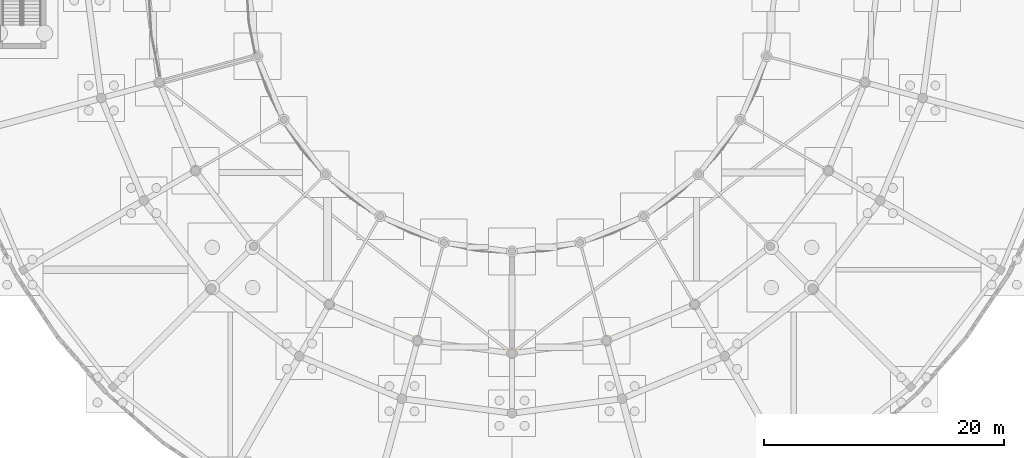
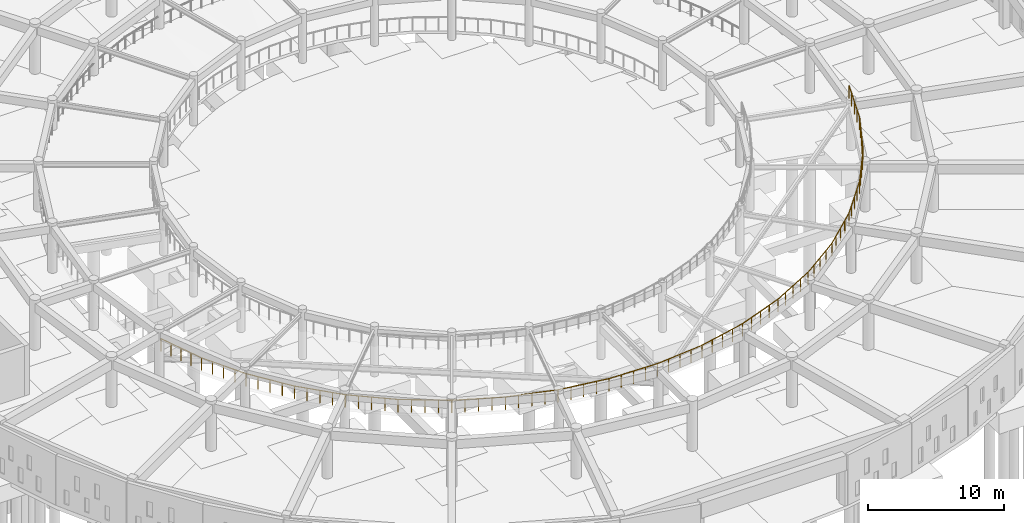
# One storey, part 67 of 84: 1 railing.
"""IFC4 building model written with IfcOpenShell, lengths in metres."""

from ifc_helpers import new_model, si_unit, direction, frame, origin, origin_2d, place, context, subcontext, project, spatial, circle, extrude, material, type_object, element, save


model = new_model("IFC4")

# Units and contexts
model_context = context("Model", 3, precision=1e-05, world=origin(), true_north=direction((0.0, 1.0)))
body_context = subcontext(model_context, "Body", "Model", "MODEL_VIEW")
ifc_project = project(units=[si_unit("LENGTHUNIT", "METRE"), si_unit("AREAUNIT", "SQUARE_METRE"), si_unit("VOLUMEUNIT", "CUBIC_METRE"), si_unit("PLANEANGLEUNIT", "RADIAN"), si_unit("MASSUNIT", "GRAM", prefix="KILO")], contexts=[model_context])

# Site, building, storey
site_placement = place(None, origin())
site = spatial("IfcSite", under=ifc_project, at=site_placement, CompositionType="ELEMENT")
building_placement = place(site_placement, origin())
building = spatial("IfcBuilding", under=site, at=building_placement, Name="Larkveld Mobility Hub", CompositionType="ELEMENT")
storey_placement = place(building_placement, origin())
storey = spatial("IfcBuildingStorey", under=building, at=storey_placement, Name="L00", CompositionType="ELEMENT", Elevation=0.0)

# Railing
ifc_material = material(Name="Galvanized Steel S355JR vehicle-deck guard", Category="steel")
railing_type = type_object("IfcRailingType", Name="RL-GRD-RMP", PredefinedType="GUARDRAIL", material=ifc_material)
railing_placement = place(storey_placement, frame((18.68408203125, 40.14501953125, 2.25)))
element("IfcRailing", 1, at=railing_placement, inside=storey, type_object=railing_type, Name="Helical Ramp Outer Sloped Guard T2 L00-006", PredefinedType="GUARDRAIL", context=body_context, shape_type="SweptSolid", body=[
    extrude(circle(Radius=0.02392578125, at=origin_2d()), frame((0.0, 0.0, 1.1259765625), z_axis=(0.32127964597, -0.94656385553, 0.028218017126), x_axis=(0.94694093454, 0.321407632909, 0.0)), (0.0, 0.0, 1.0), 3.97119140625),
    extrude(circle(Radius=0.02392578125, at=origin_2d()), frame((1.27587890625, -3.759033203125, 1.23779296875), z_axis=(0.442108613699, -0.896509973504, 0.028457707235), x_axis=(0.896873209453, 0.442287741368, 0.0)), (0.0, 0.0, 1.0), 3.97216796875),
    extrude(circle(Radius=0.02392578125, at=origin_2d()), frame((3.031982421875, -7.320068359375, 1.35107421875), z_axis=(0.555416183512, -0.831095862911, 0.028151904831), x_axis=(0.831425392892, 0.555636406344, 0.0)), (0.0, 0.0, 1.0), 3.971923828125),
    extrude(circle(Radius=0.02392578125, at=origin_2d()), frame((5.238037109375, -10.62109375, 1.462890625), z_axis=(0.658977380107, -0.751623980706, 0.028464084988), x_axis=(0.75192865028, 0.659244495531, 0.0)), (0.0, 0.0, 1.0), 3.97119140625),
    extrude(circle(Radius=0.02392578125, at=origin_2d()), frame((7.85498046875, -13.60595703125, 1.57568359375), z_axis=(0.751629219105, -0.658981972811, 0.028218371632), x_axis=(0.659244495531, 0.75192865028, 0.0)), (0.0, 0.0, 1.0), 3.97119140625),
    extrude(circle(Radius=0.02392578125, at=origin_2d()), frame((10.83984375, -16.222900390625, 1.68798828125), z_axis=(0.831088633054, -0.555411351843, 0.028458992464), x_axis=(0.555636406344, 0.831425392892, 0.0)), (0.0, 0.0, 1.0), 3.971923828125),
    extrude(circle(Radius=0.02392578125, at=origin_2d()), frame((14.140869140625, -18.428955078125, 1.80078125), z_axis=(0.896509973504, -0.442108613699, 0.028457707235), x_axis=(0.442287741368, 0.896873209453, 0.0)), (0.0, 0.0, 1.0), 3.97216796875),
    extrude(circle(Radius=0.02392578125, at=origin_2d()), frame((17.701904296875, -20.18505859375, 1.9140625), z_axis=(0.94656549581, -0.321280202708, 0.028156588756), x_axis=(0.321407632909, 0.94694093454, 0.0)), (0.0, 0.0, 1.0), 3.97119140625),
    extrude(circle(Radius=0.02392578125, at=origin_2d()), frame((21.4609375, -21.4609375, 2.02587890625), z_axis=(0.980407438323, -0.194913604196, 0.028459476109), x_axis=(0.194992586513, 0.980804716141, 0.0)), (0.0, 0.0, 1.0), 3.971923828125),
    extrude(circle(Radius=0.02392578125, at=origin_2d()), frame((25.35498046875, -22.235107421875, 2.138671875), z_axis=(0.997455012327, -0.065476429249, 0.028219418803), x_axis=(0.065502515435, 0.997852404152, 0.0)), (0.0, 0.0, 1.0), 3.970947265625),
    extrude(circle(Radius=0.02392578125, at=origin_2d()), frame((29.31591796875, -22.4951171875, 2.2509765625), z_axis=(0.997455012327, 0.065476429249, 0.028219418803), x_axis=(-0.065502515435, 0.997852404152, 0.0)), (0.0, 0.0, 1.0), 3.970947265625),
    extrude(circle(Radius=0.02392578125, at=origin_2d()), frame((33.27685546875, -22.235107421875, 2.36279296875), z_axis=(0.980407438323, 0.194913604196, 0.028459476109), x_axis=(-0.194992586513, 0.980804716141, 0.0)), (0.0, 0.0, 1.0), 3.971923828125),
    extrude(circle(Radius=0.02392578125, at=origin_2d()), frame((37.1708984375, -21.4609375, 2.47607421875), z_axis=(0.946558913276, 0.321277968486, 0.028402300314), x_axis=(-0.321407632909, 0.94694093454, 0.0)), (0.0, 0.0, 1.0), 3.97119140625),
    extrude(circle(Radius=0.02392578125, at=origin_2d()), frame((40.929931640625, -20.18505859375, 2.5888671875), z_axis=(0.896516218877, 0.442111693568, 0.028212048846), x_axis=(-0.442287741368, 0.896873209453, 0.0)), (0.0, 0.0, 1.0), 3.97216796875),
    extrude(circle(Radius=0.02392578125, at=origin_2d()), frame((44.490966796875, -18.428955078125, 2.70068359375), z_axis=(0.831088633054, 0.555411351843, 0.028458992464), x_axis=(-0.555636406344, 0.831425392892, 0.0)), (0.0, 0.0, 1.0), 3.971923828125),
    extrude(circle(Radius=0.02392578125, at=origin_2d()), frame((47.7919921875, -16.222900390625, 2.81396484375), z_axis=(0.751629219105, 0.658981972811, 0.028218371632), x_axis=(-0.659244495531, 0.75192865028, 0.0)), (0.0, 0.0, 1.0), 3.97119140625),
    extrude(circle(Radius=0.02392578125, at=origin_2d()), frame((50.77685546875, -13.60595703125, 2.92578125), z_axis=(0.658981972811, 0.751629219105, 0.028218371632), x_axis=(-0.75192865028, 0.659244495531, 0.0)), (0.0, 0.0, 1.0), 3.97119140625),
    extrude(circle(Radius=0.02392578125, at=origin_2d()), frame((53.393798828125, -10.62109375, 3.0380859375), z_axis=(0.555412322364, 0.83109008529, 0.028397575579), x_axis=(-0.831425392892, 0.555636406344, 0.0)), (0.0, 0.0, 1.0), 3.971923828125),
    extrude(circle(Radius=0.02392578125, at=origin_2d()), frame((55.599853515625, -7.320068359375, 3.15087890625), z_axis=(0.442111693568, 0.896516218877, 0.028212048846), x_axis=(-0.896873209453, 0.442287741368, 0.0)), (0.0, 0.0, 1.0), 3.97216796875),
    extrude(circle(Radius=0.02392578125, at=origin_2d()), frame((57.35595703125, -3.759033203125, 3.2626953125), z_axis=(0.321277406902, 0.946557258721, 0.028463727401), x_axis=(-0.94694093454, 0.321407632909, 0.0)), (0.0, 0.0, 1.0), 3.97119140625),
    extrude(circle(Radius=0.02099609375, at=origin_2d()), origin(), (0.0, 0.0, 1.0), 1.101806640625),
    extrude(circle(Radius=0.02099609375, at=origin_2d()), frame((0.31884765625, -0.939697265625, 0.028076171875)), (0.0, 0.0, 1.0), 1.101806640625),
    extrude(circle(Radius=0.02099609375, at=origin_2d()), frame((0.637939453125, -1.87939453125, 0.05615234375)), (0.0, 0.0, 1.0), 1.101806640625),
    extrude(circle(Radius=0.02099609375, at=origin_2d()), frame((0.95703125, -2.8193359375, 0.083984375)), (0.0, 0.0, 1.0), 1.101806640625),
    extrude(circle(Radius=0.02099609375, at=origin_2d()), frame((1.27587890625, -3.759033203125, 0.112060546875)), (0.0, 0.0, 1.0), 1.101806640625),
    extrude(circle(Radius=0.02099609375, at=origin_2d()), frame((1.71484375, -4.6494140625, 0.140380859375)), (0.0, 0.0, 1.0), 1.101806640625),
    extrude(circle(Radius=0.02099609375, at=origin_2d()), frame((2.15380859375, -5.53955078125, 0.16845703125)), (0.0, 0.0, 1.0), 1.101806640625),
    extrude(circle(Radius=0.02099609375, at=origin_2d()), frame((2.593017578125, -6.4296875, 0.19677734375)), (0.0, 0.0, 1.0), 1.101806640625),
    extrude(circle(Radius=0.02099609375, at=origin_2d()), frame((3.031982421875, -7.320068359375, 0.22509765625)), (0.0, 0.0, 1.0), 1.101806640625),
    extrude(circle(Radius=0.02099609375, at=origin_2d()), frame((3.58349609375, -8.145263671875, 0.2529296875)), (0.0, 0.0, 1.0), 1.101806640625),
    extrude(circle(Radius=0.02099609375, at=origin_2d()), frame((4.135009765625, -8.970703125, 0.281005859375)), (0.0, 0.0, 1.0), 1.101806640625),
    extrude(circle(Radius=0.02099609375, at=origin_2d()), frame((4.6865234375, -9.7958984375, 0.30908203125)), (0.0, 0.0, 1.0), 1.101806640625),
    extrude(circle(Radius=0.02099609375, at=origin_2d()), frame((5.238037109375, -10.62109375, 0.3369140625)), (0.0, 0.0, 1.0), 1.101806640625),
    extrude(circle(Radius=0.02099609375, at=origin_2d()), frame((5.892333984375, -11.3671875, 0.365234375)), (0.0, 0.0, 1.0), 1.101806640625),
    extrude(circle(Radius=0.02099609375, at=origin_2d()), frame((6.54638671875, -12.113525390625, 0.3935546875)), (0.0, 0.0, 1.0), 1.101806640625),
    extrude(circle(Radius=0.02099609375, at=origin_2d()), frame((7.20068359375, -12.85986328125, 0.421630859375)), (0.0, 0.0, 1.0), 1.101806640625),
    extrude(circle(Radius=0.02099609375, at=origin_2d()), frame((7.85498046875, -13.60595703125, 0.449951171875)), (0.0, 0.0, 1.0), 1.101806640625),
    extrude(circle(Radius=0.02099609375, at=origin_2d()), frame((8.60107421875, -14.26025390625, 0.47802734375)), (0.0, 0.0, 1.0), 1.101806640625),
    extrude(circle(Radius=0.02099609375, at=origin_2d()), frame((9.347412109375, -14.91455078125, 0.505859375)), (0.0, 0.0, 1.0), 1.101806640625),
    extrude(circle(Radius=0.02099609375, at=origin_2d()), frame((10.09375, -15.568603515625, 0.533935546875)), (0.0, 0.0, 1.0), 1.101806640625),
    extrude(circle(Radius=0.02099609375, at=origin_2d()), frame((10.83984375, -16.222900390625, 0.56201171875)), (0.0, 0.0, 1.0), 1.101806640625),
    extrude(circle(Radius=0.02099609375, at=origin_2d()), frame((11.6650390625, -16.7744140625, 0.59033203125)), (0.0, 0.0, 1.0), 1.101806640625),
    extrude(circle(Radius=0.02099609375, at=origin_2d()), frame((12.490234375, -17.325927734375, 0.61865234375)), (0.0, 0.0, 1.0), 1.101806640625),
    extrude(circle(Radius=0.02099609375, at=origin_2d()), frame((13.315673828125, -17.87744140625, 0.646728515625)), (0.0, 0.0, 1.0), 1.101806640625),
    extrude(circle(Radius=0.02099609375, at=origin_2d()), frame((14.140869140625, -18.428955078125, 0.675048828125)), (0.0, 0.0, 1.0), 1.101806640625),
    extrude(circle(Radius=0.02099609375, at=origin_2d()), frame((15.03125, -18.867919921875, 0.703369140625)), (0.0, 0.0, 1.0), 1.101806640625),
    extrude(circle(Radius=0.02099609375, at=origin_2d()), frame((15.92138671875, -19.30712890625, 0.7314453125)), (0.0, 0.0, 1.0), 1.101806640625),
    extrude(circle(Radius=0.02099609375, at=origin_2d()), frame((16.8115234375, -19.74609375, 0.759765625)), (0.0, 0.0, 1.0), 1.101806640625),
    extrude(circle(Radius=0.02099609375, at=origin_2d()), frame((17.701904296875, -20.18505859375, 0.7880859375)), (0.0, 0.0, 1.0), 1.101806640625),
    extrude(circle(Radius=0.02099609375, at=origin_2d()), frame((18.6416015625, -20.50390625, 0.81591796875)), (0.0, 0.0, 1.0), 1.101806640625),
    extrude(circle(Radius=0.02099609375, at=origin_2d()), frame((19.58154296875, -20.822998046875, 0.843994140625)), (0.0, 0.0, 1.0), 1.101806640625),
    extrude(circle(Radius=0.02099609375, at=origin_2d()), frame((20.521240234375, -21.14208984375, 0.8720703125)), (0.0, 0.0, 1.0), 1.101806640625),
    extrude(circle(Radius=0.02099609375, at=origin_2d()), frame((21.4609375, -21.4609375, 0.89990234375)), (0.0, 0.0, 1.0), 1.101806640625),
    extrude(circle(Radius=0.02099609375, at=origin_2d()), frame((22.4345703125, -21.654541015625, 0.92822265625)), (0.0, 0.0, 1.0), 1.101806640625),
    extrude(circle(Radius=0.02099609375, at=origin_2d()), frame((23.407958984375, -21.84814453125, 0.95654296875)), (0.0, 0.0, 1.0), 1.101806640625),
    extrude(circle(Radius=0.02099609375, at=origin_2d()), frame((24.38134765625, -22.04150390625, 0.984619140625)), (0.0, 0.0, 1.0), 1.101806640625),
    extrude(circle(Radius=0.02099609375, at=origin_2d()), frame((25.35498046875, -22.235107421875, 1.012939453125)), (0.0, 0.0, 1.0), 1.101806640625),
    extrude(circle(Radius=0.02099609375, at=origin_2d()), frame((26.34521484375, -22.300048828125, 1.041015625)), (0.0, 0.0, 1.0), 1.101806640625),
    extrude(circle(Radius=0.02099609375, at=origin_2d()), frame((27.33544921875, -22.365234375, 1.06884765625)), (0.0, 0.0, 1.0), 1.101806640625),
    extrude(circle(Radius=0.02099609375, at=origin_2d()), frame((28.32568359375, -22.43017578125, 1.096923828125)), (0.0, 0.0, 1.0), 1.101806640625),
    extrude(circle(Radius=0.02099609375, at=origin_2d()), frame((29.31591796875, -22.4951171875, 1.125)), (0.0, 0.0, 1.0), 1.101806640625),
    extrude(circle(Radius=0.02099609375, at=origin_2d()), frame((30.30615234375, -22.43017578125, 1.153076171875)), (0.0, 0.0, 1.0), 1.101806640625),
    extrude(circle(Radius=0.02099609375, at=origin_2d()), frame((31.29638671875, -22.365234375, 1.18115234375)), (0.0, 0.0, 1.0), 1.101806640625),
    extrude(circle(Radius=0.02099609375, at=origin_2d()), frame((32.28662109375, -22.300048828125, 1.208984375)), (0.0, 0.0, 1.0), 1.101806640625),
    extrude(circle(Radius=0.02099609375, at=origin_2d()), frame((33.27685546875, -22.235107421875, 1.237060546875)), (0.0, 0.0, 1.0), 1.101806640625),
    extrude(circle(Radius=0.02099609375, at=origin_2d()), frame((34.25048828125, -22.04150390625, 1.265380859375)), (0.0, 0.0, 1.0), 1.101806640625),
    extrude(circle(Radius=0.02099609375, at=origin_2d()), frame((35.223876953125, -21.84814453125, 1.29345703125)), (0.0, 0.0, 1.0), 1.101806640625),
    extrude(circle(Radius=0.02099609375, at=origin_2d()), frame((36.197265625, -21.654541015625, 1.32177734375)), (0.0, 0.0, 1.0), 1.101806640625),
    extrude(circle(Radius=0.02099609375, at=origin_2d()), frame((37.1708984375, -21.4609375, 1.35009765625)), (0.0, 0.0, 1.0), 1.101806640625),
    extrude(circle(Radius=0.02099609375, at=origin_2d()), frame((38.110595703125, -21.14208984375, 1.37841796875)), (0.0, 0.0, 1.0), 1.101806640625),
    extrude(circle(Radius=0.02099609375, at=origin_2d()), frame((39.05029296875, -20.822998046875, 1.406494140625)), (0.0, 0.0, 1.0), 1.101806640625),
    extrude(circle(Radius=0.02099609375, at=origin_2d()), frame((39.990234375, -20.50390625, 1.4345703125)), (0.0, 0.0, 1.0), 1.101806640625),
    extrude(circle(Radius=0.02099609375, at=origin_2d()), frame((40.929931640625, -20.18505859375, 1.462890625)), (0.0, 0.0, 1.0), 1.101806640625),
    extrude(circle(Radius=0.02099609375, at=origin_2d()), frame((41.8203125, -19.74609375, 1.490966796875)), (0.0, 0.0, 1.0), 1.101806640625),
    extrude(circle(Radius=0.02099609375, at=origin_2d()), frame((42.71044921875, -19.30712890625, 1.51904296875)), (0.0, 0.0, 1.0), 1.101806640625),
    extrude(circle(Radius=0.02099609375, at=origin_2d()), frame((43.6005859375, -18.867919921875, 1.546875)), (0.0, 0.0, 1.0), 1.101806640625),
    extrude(circle(Radius=0.02099609375, at=origin_2d()), frame((44.490966796875, -18.428955078125, 1.574951171875)), (0.0, 0.0, 1.0), 1.101806640625),
    extrude(circle(Radius=0.02099609375, at=origin_2d()), frame((45.316162109375, -17.87744140625, 1.603271484375)), (0.0, 0.0, 1.0), 1.101806640625),
    extrude(circle(Radius=0.02099609375, at=origin_2d()), frame((46.1416015625, -17.325927734375, 1.63134765625)), (0.0, 0.0, 1.0), 1.101806640625),
    extrude(circle(Radius=0.02099609375, at=origin_2d()), frame((46.966796875, -16.7744140625, 1.65966796875)), (0.0, 0.0, 1.0), 1.101806640625),
    extrude(circle(Radius=0.02099609375, at=origin_2d()), frame((47.7919921875, -16.222900390625, 1.68798828125)), (0.0, 0.0, 1.0), 1.101806640625),
    extrude(circle(Radius=0.02099609375, at=origin_2d()), frame((48.5380859375, -15.568603515625, 1.716064453125)), (0.0, 0.0, 1.0), 1.101806640625),
    extrude(circle(Radius=0.02099609375, at=origin_2d()), frame((49.284423828125, -14.91455078125, 1.744140625)), (0.0, 0.0, 1.0), 1.101806640625),
    extrude(circle(Radius=0.02099609375, at=origin_2d()), frame((50.03076171875, -14.26025390625, 1.77197265625)), (0.0, 0.0, 1.0), 1.101806640625),
    extrude(circle(Radius=0.02099609375, at=origin_2d()), frame((50.77685546875, -13.60595703125, 1.800048828125)), (0.0, 0.0, 1.0), 1.101806640625),
    extrude(circle(Radius=0.02099609375, at=origin_2d()), frame((51.43115234375, -12.85986328125, 1.828125)), (0.0, 0.0, 1.0), 1.101806640625),
    extrude(circle(Radius=0.02099609375, at=origin_2d()), frame((52.08544921875, -12.113525390625, 1.85595703125)), (0.0, 0.0, 1.0), 1.101806640625),
    extrude(circle(Radius=0.02099609375, at=origin_2d()), frame((52.739501953125, -11.3671875, 1.884033203125)), (0.0, 0.0, 1.0), 1.101806640625),
    extrude(circle(Radius=0.02099609375, at=origin_2d()), frame((53.393798828125, -10.62109375, 1.912109375)), (0.0, 0.0, 1.0), 1.101806640625),
    extrude(circle(Radius=0.02099609375, at=origin_2d()), frame((53.9453125, -9.7958984375, 1.9404296875)), (0.0, 0.0, 1.0), 1.101806640625),
    extrude(circle(Radius=0.02099609375, at=origin_2d()), frame((54.496826171875, -8.970703125, 1.968505859375)), (0.0, 0.0, 1.0), 1.101806640625),
    extrude(circle(Radius=0.02099609375, at=origin_2d()), frame((55.04833984375, -8.145263671875, 1.99658203125)), (0.0, 0.0, 1.0), 1.101806640625),
    extrude(circle(Radius=0.02099609375, at=origin_2d()), frame((55.599853515625, -7.320068359375, 2.02490234375)), (0.0, 0.0, 1.0), 1.101806640625),
    extrude(circle(Radius=0.02099609375, at=origin_2d()), frame((56.038818359375, -6.4296875, 2.052978515625)), (0.0, 0.0, 1.0), 1.101806640625),
    extrude(circle(Radius=0.02099609375, at=origin_2d()), frame((56.47802734375, -5.53955078125, 2.0810546875)), (0.0, 0.0, 1.0), 1.101806640625),
    extrude(circle(Radius=0.02099609375, at=origin_2d()), frame((56.9169921875, -4.6494140625, 2.10888671875)), (0.0, 0.0, 1.0), 1.101806640625),
    extrude(circle(Radius=0.02099609375, at=origin_2d()), frame((57.35595703125, -3.759033203125, 2.136962890625)), (0.0, 0.0, 1.0), 1.101806640625),
    extrude(circle(Radius=0.02099609375, at=origin_2d()), frame((57.6748046875, -2.8193359375, 2.165283203125)), (0.0, 0.0, 1.0), 1.101806640625),
    extrude(circle(Radius=0.02099609375, at=origin_2d()), frame((57.993896484375, -1.87939453125, 2.193359375)), (0.0, 0.0, 1.0), 1.101806640625),
    extrude(circle(Radius=0.02099609375, at=origin_2d()), frame((58.31298828125, -0.939697265625, 2.2216796875)), (0.0, 0.0, 1.0), 1.101806640625),
    extrude(circle(Radius=0.02099609375, at=origin_2d()), frame((58.6318359375, 0.0, 2.25)), (0.0, 0.0, 1.0), 1.101806640625),
])

save(model, "model.ifc")
